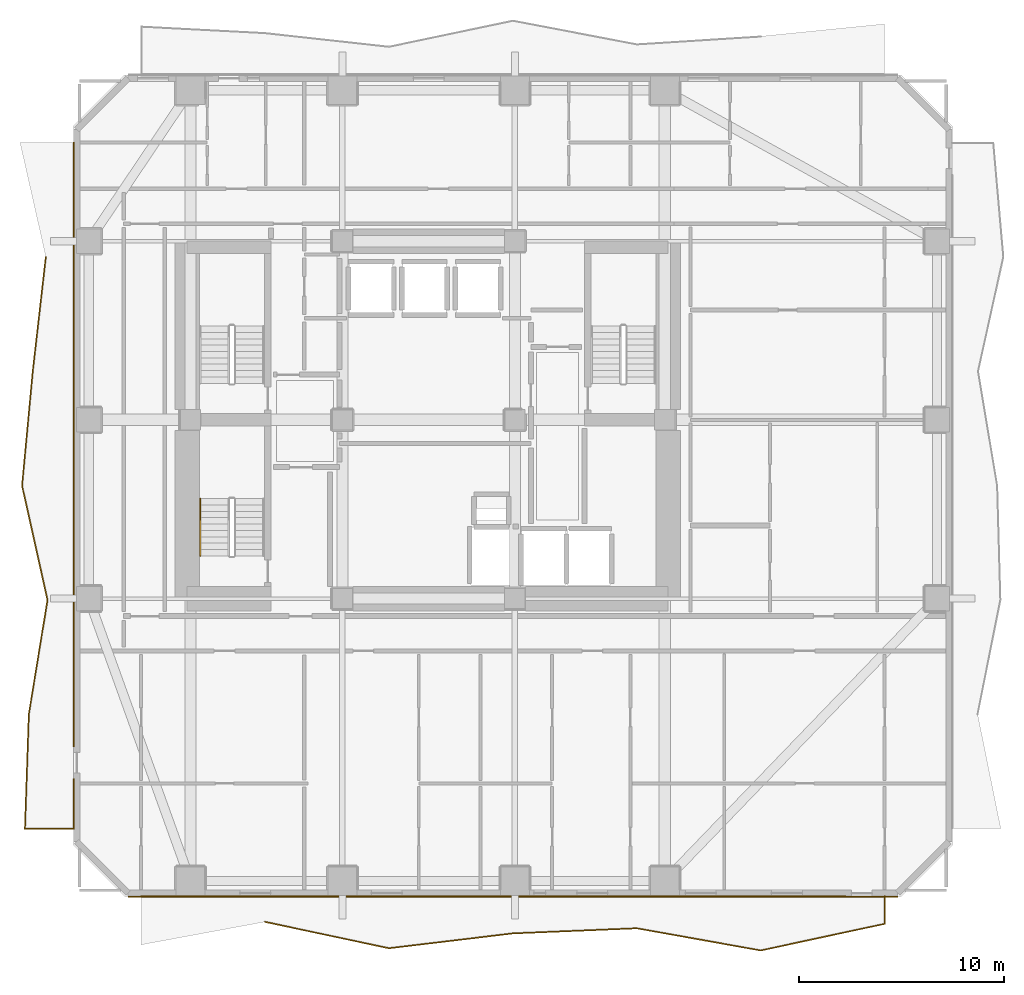
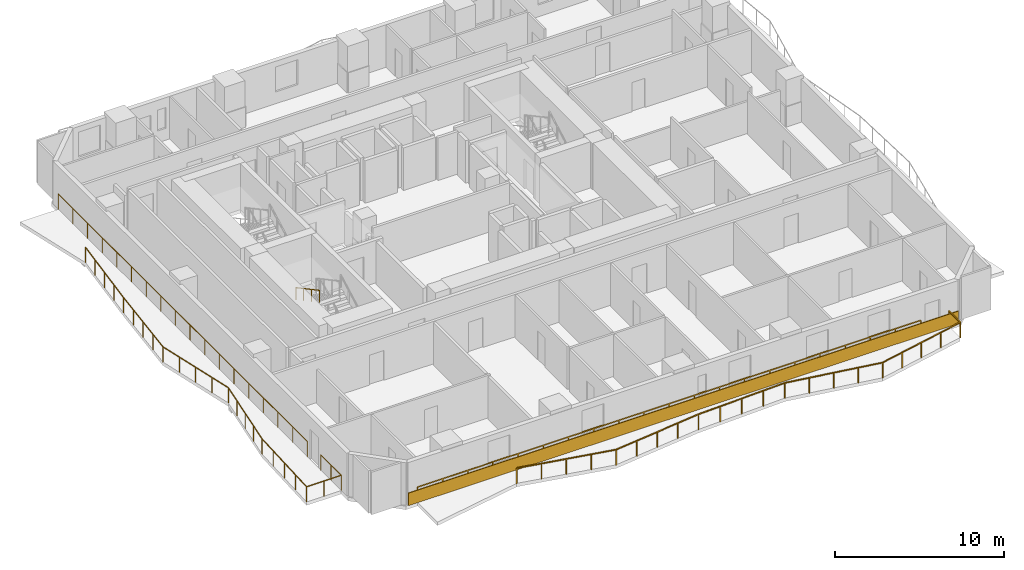
# One storey, part 8 of 10: 5 railings, 1 covering.
"""IFC4 building model written with IfcOpenShell, lengths in metres."""

from ifc_helpers import new_model, si_unit, direction, frame, frame_2d, origin, origin_2d, place, context, subcontext, project, spatial, rectangle, extrude, material, layer, layer_set, type_object, element, save


model = new_model("IFC4")

# Units and contexts
model_context = context("Model", 3, precision=1e-05, world=origin(), true_north=direction((0.0, 1.0)))
body_context = subcontext(model_context, "Body", "Model", "MODEL_VIEW")
ifc_project = project(units=[si_unit("LENGTHUNIT", "METRE"), si_unit("AREAUNIT", "SQUARE_METRE"), si_unit("VOLUMEUNIT", "CUBIC_METRE"), si_unit("PLANEANGLEUNIT", "RADIAN"), si_unit("MASSUNIT", "GRAM", prefix="KILO")], contexts=[model_context])

# Site, building, storey
site_placement = place(None, origin())
site = spatial("IfcSite", under=ifc_project, at=site_placement, CompositionType="ELEMENT")
building_placement = place(site_placement, origin())
building = spatial("IfcBuilding", under=site, at=building_placement, Name="Solanera Arch Residences", CompositionType="ELEMENT")
storey_placement = place(building_placement, frame((0.0, 0.0, 45.239990234375)))
storey = spatial("IfcBuildingStorey", under=building, at=storey_placement, Name="L12", CompositionType="ELEMENT", Elevation=45.239990234375)

# Railings
ifc_material_1 = material(Name="Steel S355 (ASTM A992 / A572 Grade 50)", Category="steel")
railing_type_1 = type_object("IfcRailingType", Name="Balustrade Railing BL-1100", PredefinedType="BALUSTRADE", material=ifc_material_1)
railing_1_placement = place(storey_placement, frame((17.032958984375, 6.260009765625, 0.0)))
element("IfcRailing", 1, at=railing_1_placement, inside=storey, type_object=railing_type_1, Name="L12 S Balcony Balustrade 1", PredefinedType="BALUSTRADE", context=body_context, shape_type="SweptSolid", body=[
    extrude(rectangle(XDim=0.048095703125, YDim=0.048095703125, at=origin_2d()), frame((0.0, 0.0, 1.09619140625), z_axis=(0.978069750944, -0.208277608708, 0.0), x_axis=(0.208277608708, 0.978069750944, 0.0)), (0.0, 0.0, 1.0), 6.169189453125),
    extrude(rectangle(XDim=0.048095703125, YDim=0.048095703125, at=origin_2d()), frame((6.033935546875, -1.284912109375, 1.09619140625), z_axis=(0.992878929618, 0.119127793231, 0.0), x_axis=(-0.119127793231, 0.992878929618, 0.0)), (0.0, 0.0, 1.0), 6.076416015625),
    extrude(rectangle(XDim=0.048095703125, YDim=0.048095703125, at=origin_2d()), frame((12.067138671875, -0.56103515625, 1.09619140625), z_axis=(0.999155836472, 0.041080584754, 0.0), x_axis=(-0.041080584754, 0.999155836472, 0.0)), (0.0, 0.0, 1.0), 6.0380859375),
    extrude(rectangle(XDim=0.048095703125, YDim=0.048095703125, at=origin_2d()), frame((18.10009765625, -0.31298828125, 1.09619140625), z_axis=(0.984382002136, -0.176045658484, 0.0), x_axis=(0.176045658484, 0.984382002136, 0.0)), (0.0, 0.0, 1.0), 6.129638671875),
    extrude(rectangle(XDim=0.048095703125, YDim=0.048095703125, at=origin_2d()), frame((24.134033203125, -1.39208984375, 1.09619140625), z_axis=(0.977658016448, 0.210201814633, 0.0), x_axis=(-0.210201814633, 0.977658016448, 0.0)), (0.0, 0.0, 1.0), 6.1708984375),
    extrude(rectangle(XDim=0.048095703125, YDim=0.048095703125, at=origin_2d()), frame((30.1669921875, -0.094970703125, 1.09619140625), z_axis=(0.0, 1.0, 0.0), x_axis=(-1.0, 0.0, 0.0)), (0.0, 0.0, 1.0), 1.35498046875),
    extrude(rectangle(XDim=0.0419921875, YDim=0.0419921875, at=origin_2d()), origin(), (0.0, 0.0, 1.0), 1.072021484375),
    extrude(rectangle(XDim=0.0419921875, YDim=0.0419921875, at=origin_2d()), frame((1.508544921875, -0.3212890625, 0.0)), (0.0, 0.0, 1.0), 1.072021484375),
    extrude(rectangle(XDim=0.0419921875, YDim=0.0419921875, at=origin_2d()), frame((3.01708984375, -0.642578125, 0.0)), (0.0, 0.0, 1.0), 1.072021484375),
    extrude(rectangle(XDim=0.0419921875, YDim=0.0419921875, at=origin_2d()), frame((4.525390625, -0.963623046875, 0.0)), (0.0, 0.0, 1.0), 1.072021484375),
    extrude(rectangle(XDim=0.0419921875, YDim=0.0419921875, at=origin_2d()), frame((6.033935546875, -1.284912109375, 0.0)), (0.0, 0.0, 1.0), 1.072021484375),
    extrude(rectangle(XDim=0.0419921875, YDim=0.0419921875, at=origin_2d()), frame((7.542236328125, -1.10400390625, 0.0)), (0.0, 0.0, 1.0), 1.072021484375),
    extrude(rectangle(XDim=0.0419921875, YDim=0.0419921875, at=origin_2d()), frame((9.050537109375, -0.9228515625, 0.0)), (0.0, 0.0, 1.0), 1.072021484375),
    extrude(rectangle(XDim=0.0419921875, YDim=0.0419921875, at=origin_2d()), frame((10.558837890625, -0.741943359375, 0.0)), (0.0, 0.0, 1.0), 1.072021484375),
    extrude(rectangle(XDim=0.0419921875, YDim=0.0419921875, at=origin_2d()), frame((12.067138671875, -0.56103515625, 0.0)), (0.0, 0.0, 1.0), 1.072021484375),
    extrude(rectangle(XDim=0.0419921875, YDim=0.0419921875, at=origin_2d()), frame((13.575439453125, -0.4990234375, 0.0)), (0.0, 0.0, 1.0), 1.072021484375),
    extrude(rectangle(XDim=0.0419921875, YDim=0.0419921875, at=origin_2d()), frame((15.08349609375, -0.43701171875, 0.0)), (0.0, 0.0, 1.0), 1.072021484375),
    extrude(rectangle(XDim=0.0419921875, YDim=0.0419921875, at=origin_2d()), frame((16.591796875, -0.375, 0.0)), (0.0, 0.0, 1.0), 1.072021484375),
    extrude(rectangle(XDim=0.0419921875, YDim=0.0419921875, at=origin_2d()), frame((18.10009765625, -0.31298828125, 0.0)), (0.0, 0.0, 1.0), 1.072021484375),
    extrude(rectangle(XDim=0.0419921875, YDim=0.0419921875, at=origin_2d()), frame((19.608642578125, -0.582763671875, 0.0)), (0.0, 0.0, 1.0), 1.072021484375),
    extrude(rectangle(XDim=0.0419921875, YDim=0.0419921875, at=origin_2d()), frame((21.1171875, -0.8525390625, 0.0)), (0.0, 0.0, 1.0), 1.072021484375),
    extrude(rectangle(XDim=0.0419921875, YDim=0.0419921875, at=origin_2d()), frame((22.62548828125, -1.122314453125, 0.0)), (0.0, 0.0, 1.0), 1.072021484375),
    extrude(rectangle(XDim=0.0419921875, YDim=0.0419921875, at=origin_2d()), frame((24.134033203125, -1.39208984375, 0.0)), (0.0, 0.0, 1.0), 1.072021484375),
    extrude(rectangle(XDim=0.0419921875, YDim=0.0419921875, at=origin_2d()), frame((25.642333984375, -1.06787109375, 0.0)), (0.0, 0.0, 1.0), 1.072021484375),
    extrude(rectangle(XDim=0.0419921875, YDim=0.0419921875, at=origin_2d()), frame((27.150390625, -0.74365234375, 0.0)), (0.0, 0.0, 1.0), 1.072021484375),
    extrude(rectangle(XDim=0.0419921875, YDim=0.0419921875, at=origin_2d()), frame((28.65869140625, -0.419189453125, 0.0)), (0.0, 0.0, 1.0), 1.072021484375),
    extrude(rectangle(XDim=0.0419921875, YDim=0.0419921875, at=origin_2d()), frame((30.1669921875, -0.094970703125, 0.0)), (0.0, 0.0, 1.0), 1.072021484375),
    extrude(rectangle(XDim=0.0419921875, YDim=0.0419921875, at=origin_2d()), frame((30.1669921875, 1.260009765625, 0.0)), (0.0, 0.0, 1.0), 1.072021484375),
])
railing_2_placement = place(storey_placement, frame((45.283935546875, 7.52001953125, 0.0)))
element("IfcRailing", 2, at=railing_2_placement, inside=storey, type_object=railing_type_1, Name="L12 S Balcony Balustrade 2", PredefinedType="BALUSTRADE", context=body_context, shape_type="SweptSolid", body=[
    extrude(rectangle(XDim=0.048095703125, YDim=0.048095703125, at=origin_2d()), frame((0.0, 0.0, 1.09619140625), z_axis=(-1.0, 0.0, 0.0), x_axis=(0.0, -1.0, 0.0)), (0.0, 0.0, 1.0), 34.283935546875),
    extrude(rectangle(XDim=0.0419921875, YDim=0.0419921875, at=origin_2d()), origin(), (0.0, 0.0, 1.0), 1.072021484375),
    extrude(rectangle(XDim=0.0419921875, YDim=0.0419921875, at=origin_2d()), frame((-1.714111328125, 0.0, 0.0)), (0.0, 0.0, 1.0), 1.072021484375),
    extrude(rectangle(XDim=0.0419921875, YDim=0.0419921875, at=origin_2d()), frame((-3.428466796875, 0.0, 0.0)), (0.0, 0.0, 1.0), 1.072021484375),
    extrude(rectangle(XDim=0.0419921875, YDim=0.0419921875, at=origin_2d()), frame((-5.142578125, 0.0, 0.0)), (0.0, 0.0, 1.0), 1.072021484375),
    extrude(rectangle(XDim=0.0419921875, YDim=0.0419921875, at=origin_2d()), frame((-6.856689453125, 0.0, 0.0)), (0.0, 0.0, 1.0), 1.072021484375),
    extrude(rectangle(XDim=0.0419921875, YDim=0.0419921875, at=origin_2d()), frame((-8.571044921875, 0.0, 0.0)), (0.0, 0.0, 1.0), 1.072021484375),
    extrude(rectangle(XDim=0.0419921875, YDim=0.0419921875, at=origin_2d()), frame((-10.28515625, 0.0, 0.0)), (0.0, 0.0, 1.0), 1.072021484375),
    extrude(rectangle(XDim=0.0419921875, YDim=0.0419921875, at=origin_2d()), frame((-11.999267578125, 0.0, 0.0)), (0.0, 0.0, 1.0), 1.072021484375),
    extrude(rectangle(XDim=0.0419921875, YDim=0.0419921875, at=origin_2d()), frame((-13.713623046875, 0.0, 0.0)), (0.0, 0.0, 1.0), 1.072021484375),
    extrude(rectangle(XDim=0.0419921875, YDim=0.0419921875, at=origin_2d()), frame((-15.427734375, 0.0, 0.0)), (0.0, 0.0, 1.0), 1.072021484375),
    extrude(rectangle(XDim=0.0419921875, YDim=0.0419921875, at=origin_2d()), frame((-17.14208984375, 0.0, 0.0)), (0.0, 0.0, 1.0), 1.072021484375),
    extrude(rectangle(XDim=0.0419921875, YDim=0.0419921875, at=origin_2d()), frame((-18.856201171875, 0.0, 0.0)), (0.0, 0.0, 1.0), 1.072021484375),
    extrude(rectangle(XDim=0.0419921875, YDim=0.0419921875, at=origin_2d()), frame((-20.5703125, 0.0, 0.0)), (0.0, 0.0, 1.0), 1.072021484375),
    extrude(rectangle(XDim=0.0419921875, YDim=0.0419921875, at=origin_2d()), frame((-22.28466796875, 0.0, 0.0)), (0.0, 0.0, 1.0), 1.072021484375),
    extrude(rectangle(XDim=0.0419921875, YDim=0.0419921875, at=origin_2d()), frame((-23.998779296875, 0.0, 0.0)), (0.0, 0.0, 1.0), 1.072021484375),
    extrude(rectangle(XDim=0.0419921875, YDim=0.0419921875, at=origin_2d()), frame((-25.712890625, 0.0, 0.0)), (0.0, 0.0, 1.0), 1.072021484375),
    extrude(rectangle(XDim=0.0419921875, YDim=0.0419921875, at=origin_2d()), frame((-27.42724609375, 0.0, 0.0)), (0.0, 0.0, 1.0), 1.072021484375),
    extrude(rectangle(XDim=0.0419921875, YDim=0.0419921875, at=origin_2d()), frame((-29.141357421875, 0.0, 0.0)), (0.0, 0.0, 1.0), 1.072021484375),
    extrude(rectangle(XDim=0.0419921875, YDim=0.0419921875, at=origin_2d()), frame((-30.85546875, 0.0, 0.0)), (0.0, 0.0, 1.0), 1.072021484375),
    extrude(rectangle(XDim=0.0419921875, YDim=0.0419921875, at=origin_2d()), frame((-32.56982421875, 0.0, 0.0)), (0.0, 0.0, 1.0), 1.072021484375),
    extrude(rectangle(XDim=0.0419921875, YDim=0.0419921875, at=origin_2d()), frame((-34.283935546875, 0.0, 0.0)), (0.0, 0.0, 1.0), 1.072021484375),
])
railing_3_placement = place(storey_placement, frame((6.360107421875, 38.633056640625, 0.0)))
element("IfcRailing", 3, at=railing_3_placement, inside=storey, type_object=railing_type_1, Name="L12 W Balcony Balustrade 1", PredefinedType="BALUSTRADE", context=body_context, shape_type="SweptSolid", body=[
    extrude(rectangle(XDim=0.048095703125, YDim=0.048095703125, at=origin_2d()), frame((0.0, 0.0, 1.09619140625), z_axis=(-0.113735855655, -0.993511024166, 0.0), x_axis=(0.993511024166, -0.113735855655, 0.0)), (0.0, 0.0, 1.0), 5.6025390625),
    extrude(rectangle(XDim=0.048095703125, YDim=0.048095703125, at=origin_2d()), frame((-0.63720703125, -5.566162109375, 1.09619140625), z_axis=(-0.093181095669, -0.995649176874, 0.0), x_axis=(0.995649176874, -0.093181095669, 0.0)), (0.0, 0.0, 1.0), 5.59130859375),
    extrude(rectangle(XDim=0.048095703125, YDim=0.048095703125, at=origin_2d()), frame((-1.158203125, -11.133056640625, 1.09619140625), z_axis=(0.217252263931, -0.976115492048, 0.0), x_axis=(0.976115492048, 0.217252263931, 0.0)), (0.0, 0.0, 1.0), 5.703125),
    extrude(rectangle(XDim=0.048095703125, YDim=0.048095703125, at=origin_2d()), frame((0.080810546875, -16.699951171875, 1.09619140625), z_axis=(-0.161162016184, -0.986927963197, 0.0), x_axis=(0.986927963197, -0.161162016184, 0.0)), (0.0, 0.0, 1.0), 5.639892578125),
    extrude(rectangle(XDim=0.048095703125, YDim=0.048095703125, at=origin_2d()), frame((-0.828125, -22.26611328125, 1.09619140625), z_axis=(-0.033924851995, -0.999424386543, 0.0), x_axis=(0.999424386543, -0.033924851995, 0.0)), (0.0, 0.0, 1.0), 5.570068359375),
    extrude(rectangle(XDim=0.048095703125, YDim=0.048095703125, at=origin_2d()), frame((-1.01708984375, -27.8330078125, 1.09619140625), z_axis=(1.0, 0.0, 0.0), x_axis=(0.0, 1.0, 0.0)), (0.0, 0.0, 1.0), 2.376953125),
    extrude(rectangle(XDim=0.048095703125, YDim=0.048095703125, at=origin_2d()), frame((1.35986328125, -27.8330078125, 1.09619140625), z_axis=(0.0, 1.0, 0.0), x_axis=(-1.0, 0.0, 0.0)), (0.0, 0.0, 1.0), 2.4169921875),
    extrude(rectangle(XDim=0.0419921875, YDim=0.0419921875, at=origin_2d()), origin(), (0.0, 0.0, 1.0), 1.072021484375),
    extrude(rectangle(XDim=0.0419921875, YDim=0.0419921875, at=origin_2d()), frame((-0.1591796875, -1.3916015625, 0.0)), (0.0, 0.0, 1.0), 1.072021484375),
    extrude(rectangle(XDim=0.0419921875, YDim=0.0419921875, at=origin_2d()), frame((-0.318603515625, -2.783203125, 0.0)), (0.0, 0.0, 1.0), 1.072021484375),
    extrude(rectangle(XDim=0.0419921875, YDim=0.0419921875, at=origin_2d()), frame((-0.47802734375, -4.174560546875, 0.0)), (0.0, 0.0, 1.0), 1.072021484375),
    extrude(rectangle(XDim=0.0419921875, YDim=0.0419921875, at=origin_2d()), frame((-0.63720703125, -5.566162109375, 0.0)), (0.0, 0.0, 1.0), 1.072021484375),
    extrude(rectangle(XDim=0.0419921875, YDim=0.0419921875, at=origin_2d()), frame((-0.767578125, -6.9580078125, 0.0)), (0.0, 0.0, 1.0), 1.072021484375),
    extrude(rectangle(XDim=0.0419921875, YDim=0.0419921875, at=origin_2d()), frame((-0.897705078125, -8.349609375, 0.0)), (0.0, 0.0, 1.0), 1.072021484375),
    extrude(rectangle(XDim=0.0419921875, YDim=0.0419921875, at=origin_2d()), frame((-1.02783203125, -9.7412109375, 0.0)), (0.0, 0.0, 1.0), 1.072021484375),
    extrude(rectangle(XDim=0.0419921875, YDim=0.0419921875, at=origin_2d()), frame((-1.158203125, -11.133056640625, 0.0)), (0.0, 0.0, 1.0), 1.072021484375),
    extrude(rectangle(XDim=0.0419921875, YDim=0.0419921875, at=origin_2d()), frame((-0.848388671875, -12.52490234375, 0.0)), (0.0, 0.0, 1.0), 1.072021484375),
    extrude(rectangle(XDim=0.0419921875, YDim=0.0419921875, at=origin_2d()), frame((-0.53857421875, -13.91650390625, 0.0)), (0.0, 0.0, 1.0), 1.072021484375),
    extrude(rectangle(XDim=0.0419921875, YDim=0.0419921875, at=origin_2d()), frame((-0.22900390625, -15.30810546875, 0.0)), (0.0, 0.0, 1.0), 1.072021484375),
    extrude(rectangle(XDim=0.0419921875, YDim=0.0419921875, at=origin_2d()), frame((0.080810546875, -16.699951171875, 0.0)), (0.0, 0.0, 1.0), 1.072021484375),
    extrude(rectangle(XDim=0.0419921875, YDim=0.0419921875, at=origin_2d()), frame((-0.146484375, -18.091552734375, 0.0)), (0.0, 0.0, 1.0), 1.072021484375),
    extrude(rectangle(XDim=0.0419921875, YDim=0.0419921875, at=origin_2d()), frame((-0.37353515625, -19.48291015625, 0.0)), (0.0, 0.0, 1.0), 1.072021484375),
    extrude(rectangle(XDim=0.0419921875, YDim=0.0419921875, at=origin_2d()), frame((-0.600830078125, -20.87451171875, 0.0)), (0.0, 0.0, 1.0), 1.072021484375),
    extrude(rectangle(XDim=0.0419921875, YDim=0.0419921875, at=origin_2d()), frame((-0.828125, -22.26611328125, 0.0)), (0.0, 0.0, 1.0), 1.072021484375),
    extrude(rectangle(XDim=0.0419921875, YDim=0.0419921875, at=origin_2d()), frame((-0.87548828125, -23.65771484375, 0.0)), (0.0, 0.0, 1.0), 1.072021484375),
    extrude(rectangle(XDim=0.0419921875, YDim=0.0419921875, at=origin_2d()), frame((-0.922607421875, -25.049560546875, 0.0)), (0.0, 0.0, 1.0), 1.072021484375),
    extrude(rectangle(XDim=0.0419921875, YDim=0.0419921875, at=origin_2d()), frame((-0.9697265625, -26.44140625, 0.0)), (0.0, 0.0, 1.0), 1.072021484375),
    extrude(rectangle(XDim=0.0419921875, YDim=0.0419921875, at=origin_2d()), frame((-1.01708984375, -27.8330078125, 0.0)), (0.0, 0.0, 1.0), 1.072021484375),
    extrude(rectangle(XDim=0.0419921875, YDim=0.0419921875, at=origin_2d()), frame((0.17138671875, -27.8330078125, 0.0)), (0.0, 0.0, 1.0), 1.072021484375),
    extrude(rectangle(XDim=0.0419921875, YDim=0.0419921875, at=origin_2d()), frame((1.35986328125, -27.8330078125, 0.0)), (0.0, 0.0, 1.0), 1.072021484375),
    extrude(rectangle(XDim=0.0419921875, YDim=0.0419921875, at=origin_2d()), frame((1.35986328125, -26.62451171875, 0.0)), (0.0, 0.0, 1.0), 1.072021484375),
    extrude(rectangle(XDim=0.0419921875, YDim=0.0419921875, at=origin_2d()), frame((1.35986328125, -25.416015625, 0.0)), (0.0, 0.0, 1.0), 1.072021484375),
])
railing_4_placement = place(storey_placement, frame((7.719970703125, 14.81689453125, 0.0)))
element("IfcRailing", 4, at=railing_4_placement, inside=storey, type_object=railing_type_1, Name="L12 W Balcony Balustrade 2", PredefinedType="BALUSTRADE", context=body_context, shape_type="SweptSolid", body=[
    extrude(rectangle(XDim=0.048095703125, YDim=0.048095703125, at=origin_2d()), frame((0.0, 0.0, 1.09619140625), z_axis=(0.0, 1.0, 0.0), x_axis=(-1.0, 0.0, 0.0)), (0.0, 0.0, 1.0), 29.383056640625),
    extrude(rectangle(XDim=0.0419921875, YDim=0.0419921875, at=origin_2d()), origin(), (0.0, 0.0, 1.0), 1.072021484375),
    extrude(rectangle(XDim=0.0419921875, YDim=0.0419921875, at=origin_2d()), frame((0.0, 1.728515625, 0.0)), (0.0, 0.0, 1.0), 1.072021484375),
    extrude(rectangle(XDim=0.0419921875, YDim=0.0419921875, at=origin_2d()), frame((0.0, 3.456787109375, 0.0)), (0.0, 0.0, 1.0), 1.072021484375),
    extrude(rectangle(XDim=0.0419921875, YDim=0.0419921875, at=origin_2d()), frame((0.0, 5.185302734375, 0.0)), (0.0, 0.0, 1.0), 1.072021484375),
    extrude(rectangle(XDim=0.0419921875, YDim=0.0419921875, at=origin_2d()), frame((0.0, 6.91357421875, 0.0)), (0.0, 0.0, 1.0), 1.072021484375),
    extrude(rectangle(XDim=0.0419921875, YDim=0.0419921875, at=origin_2d()), frame((0.0, 8.64208984375, 0.0)), (0.0, 0.0, 1.0), 1.072021484375),
    extrude(rectangle(XDim=0.0419921875, YDim=0.0419921875, at=origin_2d()), frame((0.0, 10.37060546875, 0.0)), (0.0, 0.0, 1.0), 1.072021484375),
    extrude(rectangle(XDim=0.0419921875, YDim=0.0419921875, at=origin_2d()), frame((0.0, 12.098876953125, 0.0)), (0.0, 0.0, 1.0), 1.072021484375),
    extrude(rectangle(XDim=0.0419921875, YDim=0.0419921875, at=origin_2d()), frame((0.0, 13.827392578125, 0.0)), (0.0, 0.0, 1.0), 1.072021484375),
    extrude(rectangle(XDim=0.0419921875, YDim=0.0419921875, at=origin_2d()), frame((0.0, 15.5556640625, 0.0)), (0.0, 0.0, 1.0), 1.072021484375),
    extrude(rectangle(XDim=0.0419921875, YDim=0.0419921875, at=origin_2d()), frame((0.0, 17.2841796875, 0.0)), (0.0, 0.0, 1.0), 1.072021484375),
    extrude(rectangle(XDim=0.0419921875, YDim=0.0419921875, at=origin_2d()), frame((0.0, 19.012451171875, 0.0)), (0.0, 0.0, 1.0), 1.072021484375),
    extrude(rectangle(XDim=0.0419921875, YDim=0.0419921875, at=origin_2d()), frame((0.0, 20.740966796875, 0.0)), (0.0, 0.0, 1.0), 1.072021484375),
    extrude(rectangle(XDim=0.0419921875, YDim=0.0419921875, at=origin_2d()), frame((0.0, 22.469482421875, 0.0)), (0.0, 0.0, 1.0), 1.072021484375),
    extrude(rectangle(XDim=0.0419921875, YDim=0.0419921875, at=origin_2d()), frame((0.0, 24.19775390625, 0.0)), (0.0, 0.0, 1.0), 1.072021484375),
    extrude(rectangle(XDim=0.0419921875, YDim=0.0419921875, at=origin_2d()), frame((0.0, 25.92626953125, 0.0)), (0.0, 0.0, 1.0), 1.072021484375),
    extrude(rectangle(XDim=0.0419921875, YDim=0.0419921875, at=origin_2d()), frame((0.0, 27.654541015625, 0.0)), (0.0, 0.0, 1.0), 1.072021484375),
    extrude(rectangle(XDim=0.0419921875, YDim=0.0419921875, at=origin_2d()), frame((0.0, 29.383056640625, 0.0)), (0.0, 0.0, 1.0), 1.072021484375),
])

# Covering
ifc_material_2 = material(Name="Philippine Adobe Travertine Cladding", Category="masonry")
ifc_layer = layer(ifc_material_2, 0.06005859375)
ifc_layer_set = layer_set([ifc_layer], Name="Philippine Adobe Travertine Cladding")
covering_type = type_object("IfcCoveringType", Name="Precast Pier Stone Cladding CLD-60", PredefinedType="CLADDING", material=ifc_layer_set)
covering_placement = place(storey_placement, frame((47.8349609375, 7.485107421875, 0.0), z_axis=(0.0, 0.0, 1.0), x_axis=(-1.0, 0.0, 0.0)))
element("IfcCovering", 5, at=covering_placement, inside=storey, type_object=covering_type, Name="L12 S Precast Spandrel Stone Band", PredefinedType="CLADDING", context=body_context, shape_type="SweptSolid", body=[
    extrude(rectangle(XDim=37.469970703125, YDim=0.06005859375, at=frame_2d((18.73486328125, 0.0))), origin(), (0.0, 0.0, 1.0), 0.89990234375),
])

# Railing
ifc_material_3 = material(Name="Steel S355 (ASTM A992 / A572 Grade 50)", Category="steel")
railing_type_2 = type_object("IfcRailingType", Name="Stair Wall Handrail HR-920", PredefinedType="HANDRAIL", material=ifc_material_3)
railing_5_placement = place(storey_placement, frame((13.889892578125, 26.8701171875, 1.825927734375)))
element("IfcRailing", 6, at=railing_5_placement, inside=storey, type_object=railing_type_2, Name="L12 ST-T3 stair handrail 2", PredefinedType="HANDRAIL", context=body_context, shape_type="SweptSolid", body=[
    extrude(rectangle(XDim=0.048095703125, YDim=0.048095703125, at=origin_2d()), frame((0.0, 0.0, 0.8759765625), z_axis=(0.0, -0.881548766853, 0.472092969298), x_axis=(1.0, 0.0, 0.0)), (0.0, 0.0, 1.0), 3.1650390625),
    extrude(rectangle(XDim=0.0419921875, YDim=0.0419921875, at=origin_2d()), origin(), (0.0, 0.0, 1.0), 0.851806640625),
    extrude(rectangle(XDim=0.0419921875, YDim=0.0419921875, at=origin_2d()), frame((0.0, -0.929931640625, 0.498046875)), (0.0, 0.0, 1.0), 0.851806640625),
    extrude(rectangle(XDim=0.0419921875, YDim=0.0419921875, at=origin_2d()), frame((0.0, -1.860107421875, 0.99609375)), (0.0, 0.0, 1.0), 0.851806640625),
    extrude(rectangle(XDim=0.0419921875, YDim=0.0419921875, at=origin_2d()), frame((0.0, -2.7900390625, 1.494140625)), (0.0, 0.0, 1.0), 0.851806640625),
])

save(model, "model.ifc")
